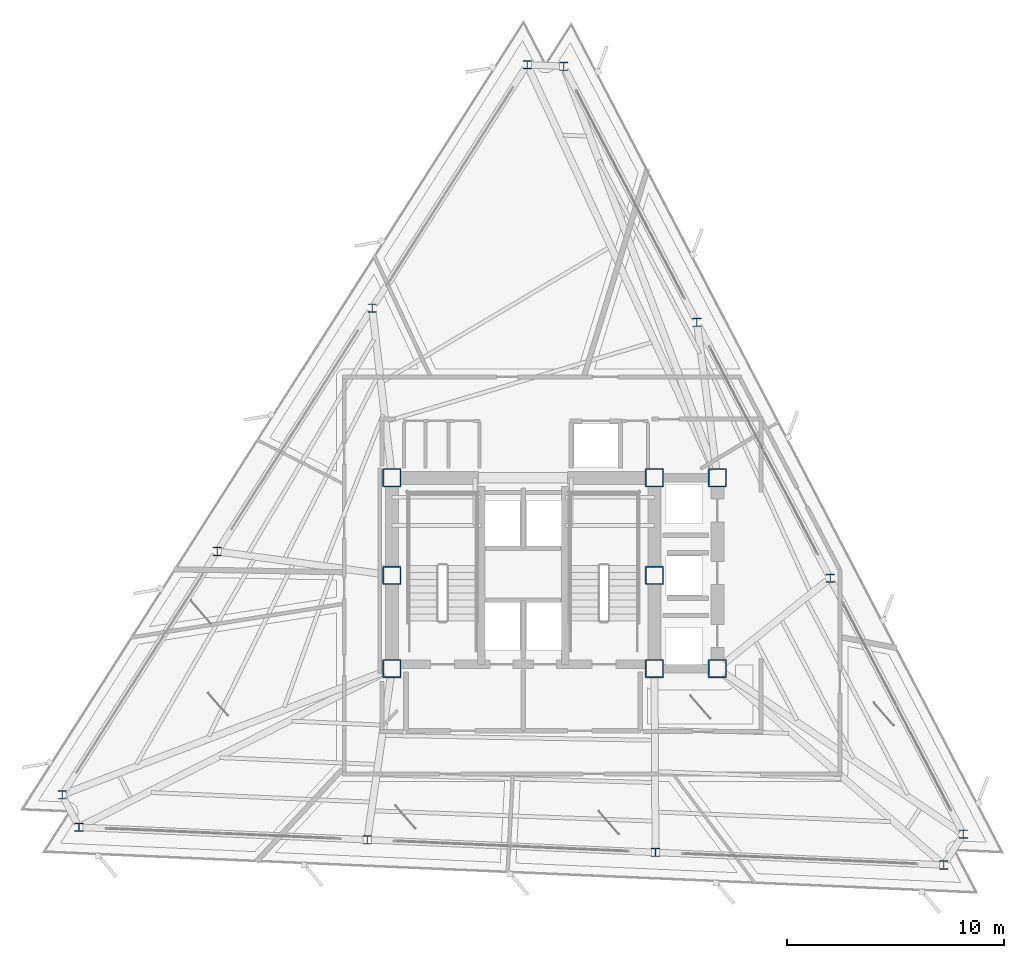
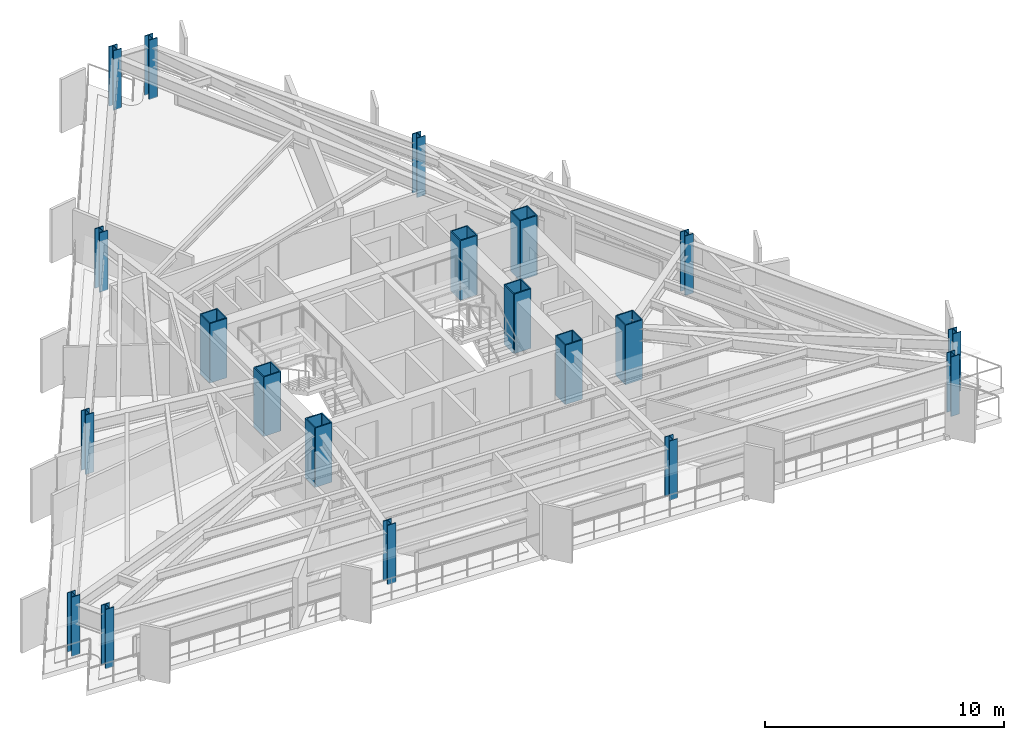
# One storey, part 1 of 12: 20 columns.
"""IFC4 building model written with IfcOpenShell, lengths in metres."""

from ifc_helpers import new_model, si_unit, direction, frame, origin, origin_2d, place, context, subcontext, project, spatial, hollow_rectangle, i_section, extrude, material, material_profile, profile_set, type_object, element, save


model = new_model("IFC4")

# Units and contexts
model_context = context("Model", 3, precision=1e-05, world=origin(), true_north=direction((0.0, 1.0)))
body_context = subcontext(model_context, "Body", "Model", "MODEL_VIEW")
ifc_project = project(units=[si_unit("LENGTHUNIT", "METRE"), si_unit("AREAUNIT", "SQUARE_METRE"), si_unit("VOLUMEUNIT", "CUBIC_METRE"), si_unit("PLANEANGLEUNIT", "RADIAN"), si_unit("MASSUNIT", "GRAM", prefix="KILO")], contexts=[model_context])

# Site, building, storey
site_placement = place(None, origin())
site = spatial("IfcSite", under=ifc_project, at=site_placement, CompositionType="ELEMENT")
building_placement = place(site_placement, origin())
building = spatial("IfcBuilding", under=site, at=building_placement, Name="Rocaltana Carrier Exchange", CompositionType="ELEMENT")
storey_placement = place(building_placement, frame((0.0, 0.0, 144.159912109375)))
storey = spatial("IfcBuildingStorey", under=building, at=storey_placement, Name="L45", CompositionType="ELEMENT", Elevation=144.159912109375)

# Columns
ifc_material_1 = material(Name="Steel S460", Category="steel")
ifc_material_profile_1 = material_profile(ifc_material_1, hollow_rectangle(XDim=0.85009765625, YDim=0.85009765625, WallThickness=0.054931640625, InnerFilletRadius=0.02001953125, OuterFilletRadius=0.0400390625, at=origin_2d()), Name="BOX850X850X55")
ifc_profile_set_1 = profile_set([ifc_material_profile_1], Name="Steel S460")
column_type_1 = type_object("IfcColumnType", Name="Core Mega-Column BOX850", PredefinedType="COLUMN", material=ifc_profile_set_1)
for number, where, z_axis, x_axis, name in (
    (1, (-6.050048828125, 4.5, 0.0), (0.0, 0.0, 1.0), (1.0, 0.0, 0.0), "L45 Core Mega-Column MC1"),
    (2, (6.050048828125, 4.5, 0.0), (0.0, 0.0, 1.0), (1.0, 0.0, 0.0), "L45 Core Mega-Column MC2"),
    (3, (-6.050048828125, 0.0, 0.0), (0.0, 0.0, 1.0), (1.0, 0.0, 0.0), "L45 Core Mega-Column MC3"),
    (4, (6.050048828125, 0.0, 0.0), (0.0, 0.0, 1.0), (1.0, 0.0, 0.0), "L45 Core Mega-Column MC4"),
    (5, (-6.050048828125, -4.300048828125, 0.0), (0.0, 0.0, 1.0), (1.0, 0.0, 0.0), "L45 Core Mega-Column MC5"),
    (6, (6.050048828125, -4.300048828125, 0.0), (0.0, 0.0, 1.0), (1.0, 0.0, 0.0), "L45 Core Mega-Column MC6"),
    (7, (8.949951171875, 4.5, 0.0), (0.0, 0.0, 1.0), (1.0, 0.0, 0.0), "L45 East Core Column EC1"),
    (8, (8.949951171875, -4.300048828125, 0.0), (0.0, 0.0, 1.0), (1.0, 0.0, 0.0), "L45 East Core Column EC2"),
):
    element("IfcColumn", number, at=place(storey_placement, frame(where, z_axis=z_axis, x_axis=x_axis)), inside=storey, type_object=column_type_1, Name=name, PredefinedType="COLUMN", context=body_context, shape_type="SweptSolid", body=[
        extrude(hollow_rectangle(XDim=0.85009765625, YDim=0.85009765625, WallThickness=0.054931640625, InnerFilletRadius=0.02001953125, OuterFilletRadius=0.0400390625, at=origin_2d()), origin(), (0.0, 0.0, 1.0), 3.0400390625),
    ])
ifc_material_2 = material(Name="Steel S355", Category="steel")
ifc_material_profile_2 = material_profile(ifc_material_2, i_section(OverallWidth=0.40087890625, OverallDepth=0.39892578125, WebThickness=0.02490234375, FlangeThickness=0.03955078125, FilletRadius=0.01806640625, at=origin_2d()), Name="W14X211")
ifc_profile_set_2 = profile_set([ifc_material_profile_2], Name="Steel S355")
column_type_2 = type_object("IfcColumnType", Name="Perimeter Column W14X211", PredefinedType="COLUMN", material=ifc_profile_set_2)
for number, where, z_axis, x_axis, name in (
    (9, (20.29150390625, -11.92822265625, 0.0), (0.0, 0.0, 1.0), (1.0, 0.0, 0.0), "L45 Perimeter Column TC01"),
    (10, (14.150146484375, -0.130859375, 0.0), (0.0, 0.0, 1.0), (1.0, 0.0, 0.0), "L45 Perimeter Column TC02"),
    (11, (8.009033203125, 11.666259765625, 0.0), (0.0, 0.0, 1.0), (1.0, 0.0, 0.0), "L45 Perimeter Column TC03"),
    (12, (1.86767578125, 23.46337890625, 0.0), (0.0, 0.0, 1.0), (1.0, 0.0, 0.0), "L45 Perimeter Column TC04"),
    (13, (0.184326171875, 23.537109375, 0.0), (0.0, 0.0, 1.0), (1.0, 0.0, 0.0), "L45 Perimeter Column TC05"),
    (14, (-6.961669921875, 12.31982421875, 0.0), (0.0, 0.0, 1.0), (1.0, 0.0, 0.0), "L45 Perimeter Column TC06"),
    (15, (-14.10791015625, 1.102783203125, 0.0), (0.0, 0.0, 1.0), (1.0, 0.0, 0.0), "L45 Perimeter Column TC07"),
    (16, (-21.25390625, -10.1142578125, 0.0), (0.0, 0.0, 1.0), (1.0, 0.0, 0.0), "L45 Perimeter Column TC08"),
    (17, (-20.475830078125, -11.60888671875, 0.0), (0.0, 0.0, 1.0), (1.0, 0.0, 0.0), "L45 Perimeter Column TC09"),
    (18, (-7.1884765625, -12.18896484375, 0.0), (0.0, 0.0, 1.0), (1.0, 0.0, 0.0), "L45 Perimeter Column TC10"),
    (19, (6.098876953125, -12.76904296875, 0.0), (0.0, 0.0, 1.0), (1.0, 0.0, 0.0), "L45 Perimeter Column TC11"),
    (20, (19.38623046875, -13.349365234375, 0.0), (0.0, 0.0, 1.0), (1.0, 0.0, 0.0), "L45 Perimeter Column TC12"),
):
    element("IfcColumn", number, at=place(storey_placement, frame(where, z_axis=z_axis, x_axis=x_axis)), inside=storey, type_object=column_type_2, Name=name, PredefinedType="COLUMN", context=body_context, shape_type="SweptSolid", body=[
        extrude(i_section(OverallWidth=0.40087890625, OverallDepth=0.39892578125, WebThickness=0.02490234375, FlangeThickness=0.03955078125, FilletRadius=0.01806640625, at=origin_2d()), origin(), (0.0, 0.0, 1.0), 3.0400390625),
    ])

save(model, "model.ifc")
